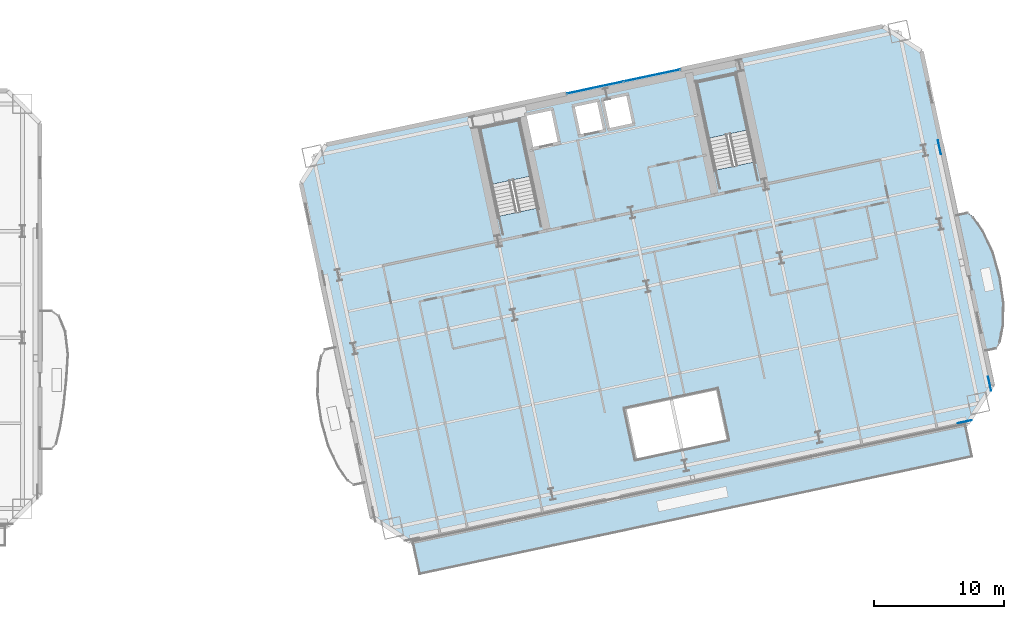
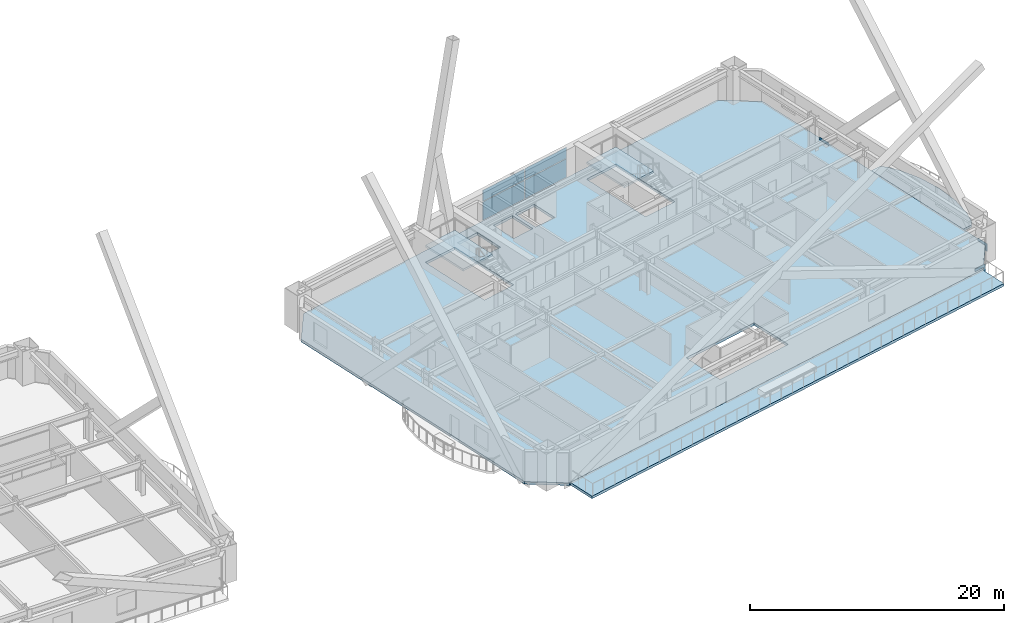
# One storey, part 10 of 25: 7 plates, 5 slabs, 3 elements without a shape of their own.
"""IFC4 building model written with IfcOpenShell, lengths in metres."""

from ifc_helpers import new_model, si_unit, direction, frame, origin, origin_2d, place, context, subcontext, project, spatial, polyline, rectangle, outline, extrude, material, layer, layer_set, type_object, element, aggregate, save


model = new_model("IFC4")

# Units and contexts
model_context = context("Model", 3, precision=1e-05, world=origin(), true_north=direction((0.0, 1.0)))
body_context = subcontext(model_context, "Body", "Model", "MODEL_VIEW")
ifc_project = project(units=[si_unit("LENGTHUNIT", "METRE"), si_unit("AREAUNIT", "SQUARE_METRE"), si_unit("VOLUMEUNIT", "CUBIC_METRE"), si_unit("PLANEANGLEUNIT", "RADIAN"), si_unit("MASSUNIT", "GRAM", prefix="KILO")], contexts=[model_context])

# Site, building, storey
site_placement = place(None, origin())
site = spatial("IfcSite", under=ifc_project, at=site_placement, CompositionType="ELEMENT")
building_placement = place(site_placement, origin())
building = spatial("IfcBuilding", under=site, at=building_placement, Name="Haevon Station Towers", CompositionType="ELEMENT")
storey_placement = place(building_placement, frame((0.0, 0.0, 50.39990234375)))
storey = spatial("IfcBuildingStorey", under=building, at=storey_placement, Name="L12", CompositionType="ELEMENT", Elevation=50.39990234375)

# Curtain wall, plates
ifc_material_1 = material(Name="Anodised aluminium and Low-E double glazing", Category="aluminium")
ifc_layer_1 = layer(ifc_material_1, 0.179931640625)
ifc_layer_set_1 = layer_set([ifc_layer_1], Name="Anodised aluminium and Low-E double glazing")
curtain_wall_type = type_object("IfcCurtainWallType", Name="CW-SYS5", PredefinedType="NOTDEFINED", material=ifc_layer_set_1)
curtain_wall_placement = place(storey_placement, origin())
curtain_wall = element("IfcCurtainWall", 1, at=curtain_wall_placement, inside=storey, type_object=curtain_wall_type, Name="L12 Curtain Wall CW-T2-L12-N", PredefinedType="NOTDEFINED")
ifc_material_2 = material(Name="Low-E double glazing", Category="glass")
ifc_layer_2 = layer(ifc_material_2, 0.028076171875)
ifc_layer_set_2 = layer_set([ifc_layer_2], Name="Low-E double glazing")
plate_type_1 = type_object("IfcPlateType", Name="CWP-GLZ28", PredefinedType="CURTAIN_PANEL", material=ifc_layer_set_2)
plate_1_placement = place(storey_placement, frame((106.224853515625, 49.254150390625, 0.06005859375), z_axis=(0.0, 0.0, 1.0), x_axis=(0.978147581095, 0.207911783211, 0.0)))
plate_1 = element("IfcPlate", 2, at=plate_1_placement, type_object=plate_type_1, Name="CW-SYS5 panel 1.1", PredefinedType="CURTAIN_PANEL", context=body_context, shape_type="SweptSolid", body=[
    extrude(rectangle(XDim=4.409912109375, YDim=0.028076171875, at=origin_2d()), origin(), (0.0, 0.0, 1.0), 1.77001953125),
])
plate_2_placement = place(storey_placement, frame((106.224853515625, 49.254150390625, 1.89013671875), z_axis=(0.0, 0.0, 1.0), x_axis=(0.978147581095, 0.207911783211, 0.0)))
plate_2 = element("IfcPlate", 3, at=plate_2_placement, type_object=plate_type_1, Name="CW-SYS5 panel 1.2", PredefinedType="CURTAIN_PANEL", context=body_context, shape_type="SweptSolid", body=[
    extrude(rectangle(XDim=4.409912109375, YDim=0.028076171875, at=origin_2d()), origin(), (0.0, 0.0, 1.0), 1.050048828125),
])
plate_3_placement = place(storey_placement, frame((110.59716796875, 50.18359375, 0.06005859375), z_axis=(0.0, 0.0, 1.0), x_axis=(0.978147581095, 0.207911783211, 0.0)))
plate_3 = element("IfcPlate", 4, at=plate_3_placement, type_object=plate_type_1, Name="CW-SYS5 panel 2.1", PredefinedType="CURTAIN_PANEL", context=body_context, shape_type="SweptSolid", body=[
    extrude(rectangle(XDim=4.409912109375, YDim=0.028076171875, at=origin_2d()), origin(), (0.0, 0.0, 1.0), 1.77001953125),
])
plate_4_placement = place(storey_placement, frame((110.59716796875, 50.18359375, 1.89013671875), z_axis=(0.0, 0.0, 1.0), x_axis=(0.978147581095, 0.207911783211, 0.0)))
plate_4 = element("IfcPlate", 5, at=plate_4_placement, type_object=plate_type_1, Name="CW-SYS5 panel 2.2", PredefinedType="CURTAIN_PANEL", context=body_context, shape_type="SweptSolid", body=[
    extrude(rectangle(XDim=4.409912109375, YDim=0.028076171875, at=origin_2d()), origin(), (0.0, 0.0, 1.0), 1.050048828125),
])
aggregate(curtain_wall, [plate_1, plate_2, plate_3, plate_4])

# Plates
ifc_material_3 = material(Name="PL-SPL1", Category="steel")
ifc_layer_3 = layer(ifc_material_3, 0.031982421875)
ifc_layer_set_3 = layer_set([ifc_layer_3], Name="PL-SPL1")
plate_type_2 = type_object("IfcPlateType", Name="PL-SPL1", PredefinedType="USERDEFINED", material=ifc_layer_set_3)
for number, where, z_axis, x_axis, name in (
    (6, (134.67822265625, 23.5380859375, -0.494873046875), (0.0, 0.0, 1.0), (0.978147600734, 0.207911690818, 0.0), "PL-T2SPL-T01-S-2"),
    (7, (136.580810546875, 26.467529296875, -0.494873046875), (0.0, 0.0, 1.0), (-0.207911690818, 0.978147600734, 0.0), "PL-T2SPL-T01-E-1"),
    (8, (132.713623046875, 44.6611328125, -0.494873046875), (0.0, 0.0, 1.0), (-0.207911690818, 0.978147600734, 0.0), "PL-T2SPL-T01-E-2"),
):
    element("IfcPlate", number, at=place(storey_placement, frame(where, z_axis=z_axis, x_axis=x_axis)), inside=storey, type_object=plate_type_2, Name=name, ObjectType="SPLICE_PLATE", PredefinedType="USERDEFINED", context=body_context, shape_type="SweptSolid", body=[
        extrude(rectangle(XDim=1.10009765625, YDim=0.031982421875, at=origin_2d()), origin(), (0.0, 0.0, 1.0), 0.75),
    ])

# Slab
ifc_material_4 = material(Name="Concrete C40/50", Category="concrete")
ifc_layer_4 = layer(ifc_material_4, 0.219970703125)
ifc_layer_set_4 = layer_set([ifc_layer_4], Name="Concrete C40/50")
slab_type_1 = type_object("IfcSlabType", Name="SL-BALC220", PredefinedType="FLOOR", material=ifc_layer_set_4)
slab_1_placement = place(storey_placement, frame((0.0, 0.0, -0.219970703125)))
element("IfcSlab", 9, at=slab_1_placement, inside=storey, type_object=slab_type_1, Name="Tower 2 L12 East SCALLOPED BALCONY", PredefinedType="FLOOR", context=body_context, shape_type="SweptSolid", body=[
    extrude(outline(polyline([(136.2470703125, 28.927001953125), (137.07861328125, 29.103759765625), (137.36767578125, 29.58544921875), (137.62353515625, 30.83642578125), (137.685302734375, 32.640625), (137.4267578125, 34.6982421875), (136.825927734375, 36.683349609375), (136.03564453125, 38.306396484375), (135.293212890625, 39.34521484375), (134.833251953125, 39.667724609375), (134.001708984375, 39.490966796875), (136.2470703125, 28.927001953125)])), origin(), (0.0, 0.0, 1.0), 0.219970703125),
])

# Stair, slab
stair_type = type_object("IfcStairType", Name="STR-DL1450", PredefinedType="USERDEFINED", material=ifc_material_4)
stair_1_placement = place(storey_placement, origin())
stair_1 = element("IfcStair", 10, at=stair_1_placement, inside=storey, type_object=stair_type, Name="L12 Escape Stair ST3", ObjectType="TWO_RETURN_STAIR", PredefinedType="USERDEFINED")
ifc_layer_5 = layer(ifc_material_4, 0.199951171875)
ifc_layer_set_5 = layer_set([ifc_layer_5], Name="Concrete C40/50")
slab_type_2 = type_object("IfcSlabType", Name="SL-LND200", PredefinedType="LANDING", material=ifc_layer_set_5)
slab_2_placement = place(storey_placement, frame((0.0, 0.0, 1.4501953125)))
slab_2 = element("IfcSlab", 11, at=slab_2_placement, type_object=slab_type_2, Name="L12 ST3 Half Landing 1", PredefinedType="LANDING", context=body_context, shape_type="SweptSolid", body=[
    extrude(outline(polyline([(101.2880859375, 42.44287109375), (100.36572265625, 46.781982421875), (97.33349609375, 46.137451171875), (98.255859375, 41.79833984375), (101.2880859375, 42.44287109375)])), origin(), (0.0, 0.0, 1.0), 0.199951171875),
])
aggregate(stair_1, [slab_2])

stair_2_placement = place(storey_placement, origin())
stair_2 = element("IfcStair", 12, at=stair_2_placement, inside=storey, type_object=stair_type, Name="L12 Escape Stair ST4", ObjectType="TWO_RETURN_STAIR", PredefinedType="USERDEFINED")
slab_3_placement = place(storey_placement, frame((0.0, 0.0, 1.4501953125)))
slab_3 = element("IfcSlab", 13, at=slab_3_placement, type_object=slab_type_2, Name="L12 ST4 Half Landing 1", PredefinedType="LANDING", context=body_context, shape_type="SweptSolid", body=[
    extrude(outline(polyline([(117.975341796875, 45.989990234375), (117.052978515625, 50.328857421875), (114.020751953125, 49.684326171875), (114.943115234375, 45.345458984375), (117.975341796875, 45.989990234375)])), origin(), (0.0, 0.0, 1.0), 0.199951171875),
])
aggregate(stair_2, [slab_3])

# Slabs
ifc_layer_6 = layer(ifc_material_4, 0.25)
ifc_layer_set_6 = layer_set([ifc_layer_6], Name="Concrete C40/50")
slab_type_3 = type_object("IfcSlabType", Name="SL-TERR250", PredefinedType="FLOOR", material=ifc_layer_set_6)
slab_4_placement = place(storey_placement, frame((0.0, 0.0, -0.25)))
element("IfcSlab", 14, at=slab_4_placement, inside=storey, type_object=slab_type_3, Name="Tower 2 L12 Sky Garden Terrace", PredefinedType="FLOOR", context=body_context, shape_type="SweptSolid", body=[
    extrude(outline(polyline([(92.6474609375, 11.81298828125), (135.294921875, 20.8779296875), (134.765625, 23.367431640625), (92.118408203125, 14.302490234375), (92.6474609375, 11.81298828125)])), origin(), (0.0, 0.0, 1.0), 0.25),
])
ifc_layer_7 = layer(ifc_material_4, 0.25)
ifc_layer_set_7 = layer_set([ifc_layer_7], Name="Concrete C40/50")
slab_type_4 = type_object("IfcSlabType", Name="SL-TW250", PredefinedType="FLOOR", material=ifc_layer_set_7)
slab_5_placement = place(storey_placement, frame((0.0, 0.0, -0.25)))
element("IfcSlab", 15, at=slab_5_placement, inside=storey, type_object=slab_type_4, Name="SL-T2-L12", PredefinedType="FLOOR", context=body_context, shape_type="SweptSolid", body=[
    extrude(outline(polyline([(92.01953125, 14.28662109375), (134.862548828125, 23.39306640625), (136.7880859375, 26.358154296875), (131.330322265625, 52.03466796875), (128.365234375, 53.960205078125), (85.5224609375, 44.853759765625), (83.5966796875, 41.888427734375), (89.054443359375, 16.212158203125), (92.01953125, 14.28662109375)]), holes=[polyline([(101.8095703125, 39.98974609375), (100.36572265625, 46.781982421875), (97.33349609375, 46.137451171875), (98.77734375, 39.34521484375), (101.8095703125, 39.98974609375)]), polyline([(118.496826171875, 43.53662109375), (117.052978515625, 50.328857421875), (114.020751953125, 49.684326171875), (115.464599609375, 42.89208984375), (118.496826171875, 43.53662109375)]), polyline([(101.43212890625, 44.554931640625), (103.486328125, 44.99169921875), (102.9248046875, 47.632568359375), (100.870849609375, 47.196044921875), (101.43212890625, 44.554931640625)]), polyline([(105.009765625, 45.519775390625), (106.966064453125, 45.935791015625), (106.467041015625, 48.283203125), (104.5107421875, 47.867431640625), (105.009765625, 45.519775390625)]), polyline([(107.259521484375, 45.998046875), (109.2158203125, 46.413818359375), (108.716796875, 48.761474609375), (106.760498046875, 48.345703125), (107.259521484375, 45.998046875)]), polyline([(109.379150390625, 20.634521484375), (116.421875, 22.131591796875), (115.590087890625, 26.044189453125), (108.54736328125, 24.547119140625), (109.379150390625, 20.634521484375)])]), origin(), (0.0, 0.0, 1.0), 0.25),
])

save(model, "model.ifc")
